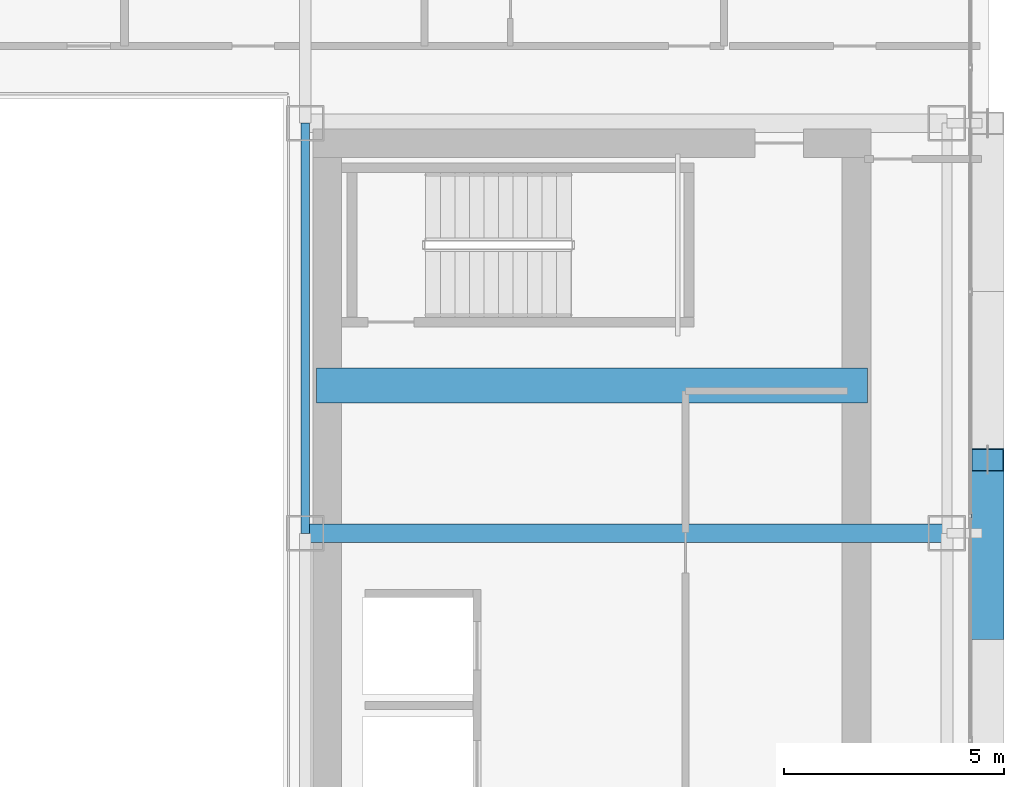
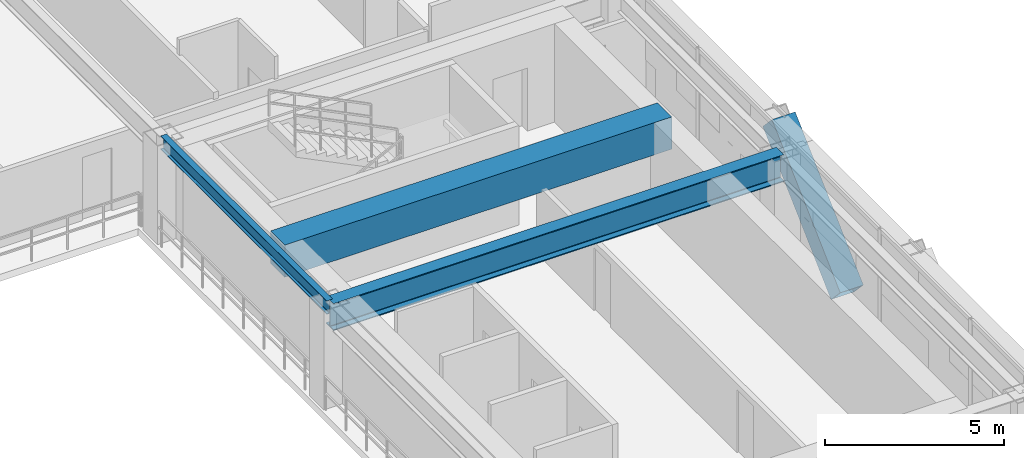
# One storey, part 14 of 34: 3 beams, 1 member.
"""IFC4 building model written with IfcOpenShell, lengths in metres."""

from ifc_helpers import new_model, si_unit, direction, frame, origin, origin_2d, place, context, subcontext, project, spatial, rectangle, hollow_rectangle, i_section, extrude, source, transform, mapped, material, material_profile, profile_set, type_object, element, save


model = new_model("IFC4")

# Units and contexts
model_context = context("Model", 3, precision=1e-05, world=origin(), true_north=direction((0.0, 1.0)))
body_context = subcontext(model_context, "Body", "Model", "MODEL_VIEW")
ifc_project = project(units=[si_unit("LENGTHUNIT", "METRE"), si_unit("AREAUNIT", "SQUARE_METRE"), si_unit("VOLUMEUNIT", "CUBIC_METRE"), si_unit("PLANEANGLEUNIT", "RADIAN"), si_unit("MASSUNIT", "GRAM", prefix="KILO")], contexts=[model_context])

# Site, building, storey
site_placement = place(None, origin())
site = spatial("IfcSite", under=ifc_project, at=site_placement, CompositionType="ELEMENT")
building_placement = place(site_placement, origin())
building = spatial("IfcBuilding", under=site, at=building_placement, Name="Ocotamira Hotel", CompositionType="ELEMENT")
storey_placement = place(building_placement, frame((0.0, 0.0, 108.0)))
storey = spatial("IfcBuildingStorey", under=building, at=storey_placement, Name="L26", CompositionType="ELEMENT", Elevation=108.0)

# Beams
ifc_material_1 = material(Name="Concrete C60/75", Category="concrete")
ifc_material_profile_1 = material_profile(ifc_material_1, rectangle(XDim=0.800048828125, YDim=1.10009765625, at=origin_2d()), Name="RC800X1100")
ifc_profile_set_1 = profile_set([ifc_material_profile_1], Name="Concrete C60/75")
beam_type_1 = type_object("IfcBeamType", Name="BM-LINK-RC800", PredefinedType="LINTEL", material=ifc_profile_set_1)
shared_shape_1 = source(origin(), body_context, "Body", "SweptSolid", [
    extrude(rectangle(XDim=0.800048828125, YDim=1.10009765625, at=origin_2d()), origin(), (0.0, 0.0, 1.0), 12.5),
])
beam_1_placement = place(storey_placement, frame((40.75, 31.5, 2.81005859375), z_axis=(1.0, 0.0, 0.0), x_axis=(0.0, 1.0, 0.0)))
element("IfcBeam", 1, at=beam_1_placement, inside=storey, type_object=beam_type_1, Name="L26 East Core Coupling Beam", PredefinedType="LINTEL", context=body_context, shape_type="MappedRepresentation", body=[
    mapped(shared_shape_1, transform((0.0, 0.0, 0.0), scale=1.0)),
])
ifc_material_2 = material(Name="Steel ASTM A992 Grade 50", Category="steel")
ifc_material_profile_2 = material_profile(ifc_material_2, i_section(OverallWidth=0.41796875, OverallDepth=0.927001953125, WebThickness=0.019287109375, FlangeThickness=0.031982421875, FilletRadius=0.02392578125, at=origin_2d()), Name="W36X231")
ifc_profile_set_2 = profile_set([ifc_material_profile_2], Name="Steel ASTM A992 Grade 50")
beam_type_2 = type_object("IfcBeamType", Name="BM-GIRD-W36X231", PredefinedType="BEAM", material=ifc_profile_set_2)
shared_shape_2 = source(origin(), body_context, "Body", "SweptSolid", [
    extrude(i_section(OverallWidth=0.41796875, OverallDepth=0.927001953125, WebThickness=0.019287109375, FlangeThickness=0.031982421875, FilletRadius=0.02392578125, at=origin_2d()), origin(), (0.0, 0.0, 1.0), 14.550048828125),
])
beam_2_placement = place(storey_placement, frame((40.5, 28.14990234375, 2.896484375), z_axis=(1.0, 0.0, 0.0), x_axis=(0.0, 1.0, 0.0)))
element("IfcBeam", 2, at=beam_2_placement, inside=storey, type_object=beam_type_2, Name="L26 Girder Y28.15 X40.5-55.05", PredefinedType="BEAM", context=body_context, shape_type="MappedRepresentation", body=[
    mapped(shared_shape_2, transform((0.0, 0.0, 0.0), scale=1.0)),
])
ifc_material_profile_3 = material_profile(ifc_material_2, i_section(OverallWidth=0.18994140625, OverallDepth=0.45703125, WebThickness=0.009033203125, FlangeThickness=0.014404296875, FilletRadius=0.010009765625, at=origin_2d()), Name="W18X50")
ifc_profile_set_3 = profile_set([ifc_material_profile_3], Name="Steel ASTM A992 Grade 50")
beam_type_3 = type_object("IfcBeamType", Name="BM-SEC-W18X50", PredefinedType="JOIST", material=ifc_profile_set_3)
shared_shape_3 = source(origin(), body_context, "Body", "SweptSolid", [
    extrude(i_section(OverallWidth=0.18994140625, OverallDepth=0.45703125, WebThickness=0.009033203125, FlangeThickness=0.014404296875, FilletRadius=0.010009765625, at=origin_2d()), origin(), (0.0, 0.0, 1.0), 9.300048828125),
])
beam_3_placement = place(storey_placement, frame((40.5, 28.14990234375, 3.131591796875), z_axis=(0.0, 1.0, 0.0), x_axis=(-1.0, 0.0, 0.0)))
element("IfcBeam", 3, at=beam_3_placement, inside=storey, type_object=beam_type_3, Name="L26 Beam X40.5 Y28.15-37.45", PredefinedType="JOIST", context=body_context, shape_type="MappedRepresentation", body=[
    mapped(shared_shape_3, transform((0.0, 0.0, 0.0), scale=1.0)),
])

# Member
ifc_material_3 = material(Name="Pale-metal coated steel ASTM A913 Grade 65", Category="steel")
ifc_material_profile_4 = material_profile(ifc_material_3, hollow_rectangle(XDim=0.75, YDim=0.75, WallThickness=0.028076171875, at=origin_2d()), Name="BOX750X750X28")
ifc_profile_set_4 = profile_set([ifc_material_profile_4], Name="Pale-metal coated steel ASTM A913 Grade 65")
member_type = type_object("IfcMemberType", Name="MEM-EXO-BOX750", PredefinedType="BRACE", material=ifc_profile_set_4)
shared_shape_4 = source(origin(), body_context, "Body", "SweptSolid", [
    extrude(hollow_rectangle(XDim=0.75, YDim=0.75, WallThickness=0.028076171875, at=origin_2d()), origin(), (0.0, 0.0, 1.0), 5.24658203125),
])
member_placement = place(storey_placement, frame((55.969970703125, 26.0, -0.489990234375), z_axis=(0.0, 0.727442733726, 0.686168397078), x_axis=(-1.0, 0.0, 0.0)))
element("IfcMember", 4, at=member_placement, inside=storey, type_object=member_type, Name="L26 Exoskeleton Diagrid E1.2", PredefinedType="BRACE", context=body_context, shape_type="MappedRepresentation", body=[
    mapped(shared_shape_4, transform((0.0, 0.0, 0.0), scale=1.0)),
])

save(model, "model.ifc")
